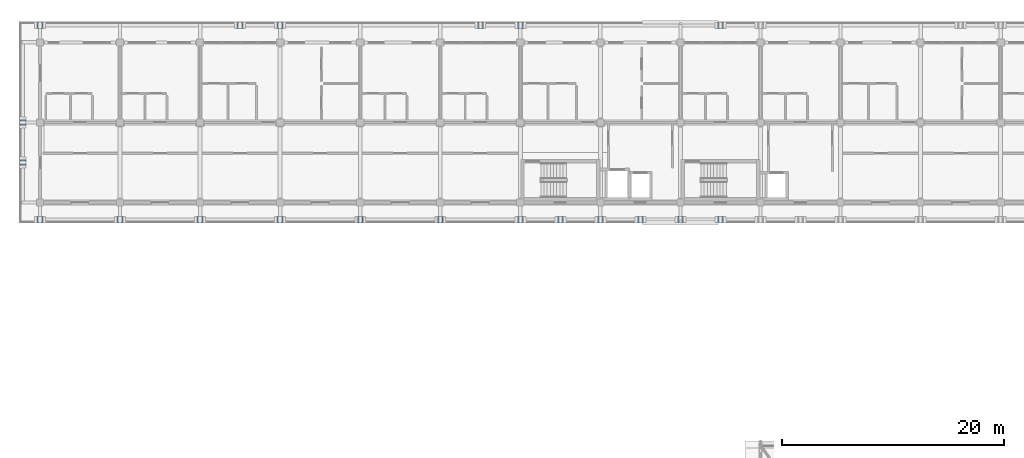
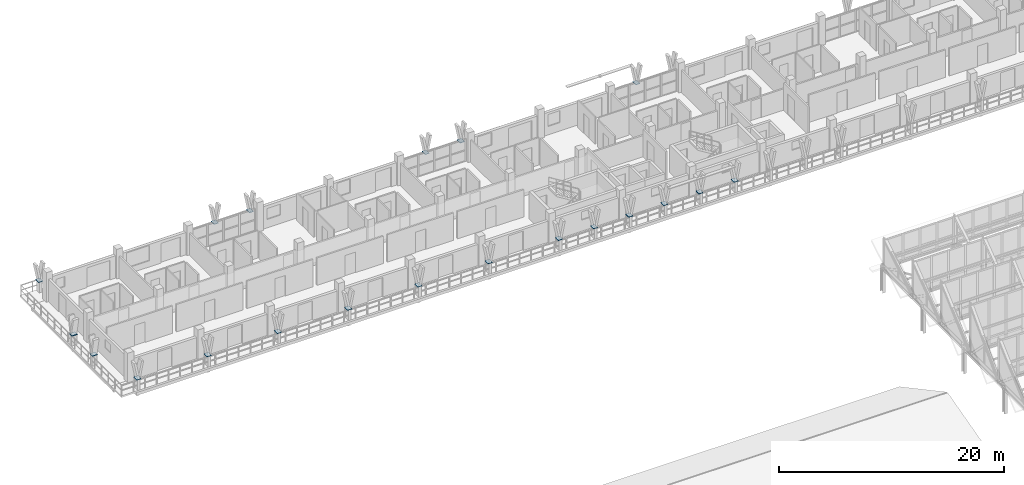
# One storey, part 109 of 157: 20 plates.
"""IFC4 building model written with IfcOpenShell, lengths in metres."""

from ifc_helpers import new_model, si_unit, direction, frame, origin, origin_2d, place, context, subcontext, project, spatial, rectangle, extrude, material, layer, layer_set, type_object, element, save


model = new_model("IFC4")

# Units and contexts
model_context = context("Model", 3, precision=1e-05, world=origin(), true_north=direction((0.0, 1.0)))
body_context = subcontext(model_context, "Body", "Model", "MODEL_VIEW")
ifc_project = project(units=[si_unit("LENGTHUNIT", "METRE"), si_unit("AREAUNIT", "SQUARE_METRE"), si_unit("VOLUMEUNIT", "CUBIC_METRE"), si_unit("PLANEANGLEUNIT", "RADIAN"), si_unit("MASSUNIT", "GRAM", prefix="KILO")], contexts=[model_context])

# Site, building, storey
site_placement = place(None, origin())
site = spatial("IfcSite", under=ifc_project, at=site_placement, CompositionType="ELEMENT")
building_placement = place(site_placement, origin())
building = spatial("IfcBuilding", under=site, at=building_placement, Name="Suanplinth Sawtooth Commons", CompositionType="ELEMENT")
storey_placement = place(building_placement, frame((0.0, 0.0, 9.0)))
storey = spatial("IfcBuildingStorey", under=building, at=storey_placement, Name="L02", CompositionType="ELEMENT", Elevation=9.0)

# Plates
ifc_material = material(Name="Pigmented precast concrete C40/50", Category="concrete")
ifc_layer = layer(ifc_material, 0.06005859375, Name="Precast Y-blade bifurcation node plate 60mm")
ifc_layer_set = layer_set([ifc_layer], Name="Pigmented precast concrete C40/50")
plate_type = type_object("IfcPlateType", Name="PL-04", PredefinedType="USERDEFINED", material=ifc_layer_set)
for number, where, z_axis, x_axis, name in (
    (1, (0.0, 123.919921875, 1.119873046875), (0.0, 0.0, 1.0), (1.0, 0.0, 0.0), "Y-Blade Node Plate L02-A-N-01"),
    (2, (18.0, 123.919921875, 1.119873046875), (0.0, 0.0, 1.0), (1.0, 0.0, 0.0), "Y-Blade Node Plate L02-A-N-02"),
    (3, (21.60009765625, 123.919921875, 1.119873046875), (0.0, 0.0, 1.0), (1.0, 0.0, 0.0), "Y-Blade Node Plate L02-A-N-03"),
    (4, (39.60009765625, 123.919921875, 1.119873046875), (0.0, 0.0, 1.0), (1.0, 0.0, 0.0), "Y-Blade Node Plate L02-A-N-04"),
    (5, (43.199951171875, 123.919921875, 1.119873046875), (0.0, 0.0, 1.0), (1.0, 0.0, 0.0), "Y-Blade Node Plate L02-A-N-05"),
    (6, (61.199951171875, 123.919921875, 1.119873046875), (0.0, 0.0, 1.0), (1.0, 0.0, 0.0), "Y-Blade Node Plate L02-A-N-06"),
    (7, (0.0, 106.47998046875, 1.119873046875), (0.0, 0.0, 1.0), (1.0, 0.0, 0.0), "Y-Blade Node Plate L02-A-S-10"),
    (8, (7.199951171875, 106.47998046875, 1.119873046875), (0.0, 0.0, 1.0), (1.0, 0.0, 0.0), "Y-Blade Node Plate L02-A-S-11"),
    (9, (14.39990234375, 106.47998046875, 1.119873046875), (0.0, 0.0, 1.0), (1.0, 0.0, 0.0), "Y-Blade Node Plate L02-A-S-12"),
    (10, (21.60009765625, 106.47998046875, 1.119873046875), (0.0, 0.0, 1.0), (1.0, 0.0, 0.0), "Y-Blade Node Plate L02-A-S-13"),
    (11, (28.800048828125, 106.47998046875, 1.119873046875), (0.0, 0.0, 1.0), (1.0, 0.0, 0.0), "Y-Blade Node Plate L02-A-S-14"),
    (12, (36.0, 106.47998046875, 1.119873046875), (0.0, 0.0, 1.0), (1.0, 0.0, 0.0), "Y-Blade Node Plate L02-A-S-15"),
    (13, (43.199951171875, 106.47998046875, 1.119873046875), (0.0, 0.0, 1.0), (1.0, 0.0, 0.0), "Y-Blade Node Plate L02-A-S-16"),
    (14, (46.800048828125, 106.47998046875, 1.119873046875), (0.0, 0.0, 1.0), (1.0, 0.0, 0.0), "Y-Blade Node Plate L02-A-S-17"),
    (15, (50.39990234375, 106.47998046875, 1.119873046875), (0.0, 0.0, 1.0), (1.0, 0.0, 0.0), "Y-Blade Node Plate L02-A-S-18"),
    (16, (54.0, 106.47998046875, 1.119873046875), (0.0, 0.0, 1.0), (1.0, 0.0, 0.0), "Y-Blade Node Plate L02-A-S-19"),
    (17, (57.60009765625, 106.47998046875, 1.119873046875), (0.0, 0.0, 1.0), (1.0, 0.0, 0.0), "Y-Blade Node Plate L02-A-S-20"),
    (18, (61.199951171875, 106.47998046875, 1.119873046875), (0.0, 0.0, 1.0), (1.0, 0.0, 0.0), "Y-Blade Node Plate L02-A-S-21"),
    (19, (-1.52001953125, 111.60009765625, 1.119873046875), (0.0, 0.0, 1.0), (0.0, 1.0, 0.0), "Y-Blade Node Plate L02-A-W-31"),
    (20, (-1.52001953125, 115.199951171875, 1.119873046875), (0.0, 0.0, 1.0), (0.0, 1.0, 0.0), "Y-Blade Node Plate L02-A-W-32"),
):
    element("IfcPlate", number, at=place(storey_placement, frame(where, z_axis=z_axis, x_axis=x_axis)), inside=storey, type_object=plate_type, Name=name, ObjectType="GUSSET PLATE", PredefinedType="USERDEFINED", context=body_context, shape_type="SweptSolid", body=[
        extrude(rectangle(XDim=0.43994140625, YDim=0.550048828125, at=origin_2d()), origin(), (0.0, 0.0, 1.0), 0.06005859375),
    ])

save(model, "model.ifc")
